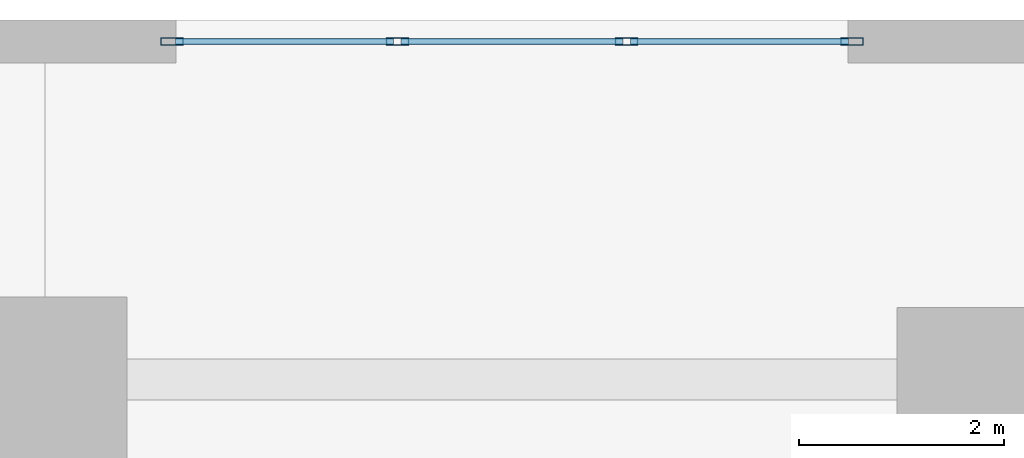
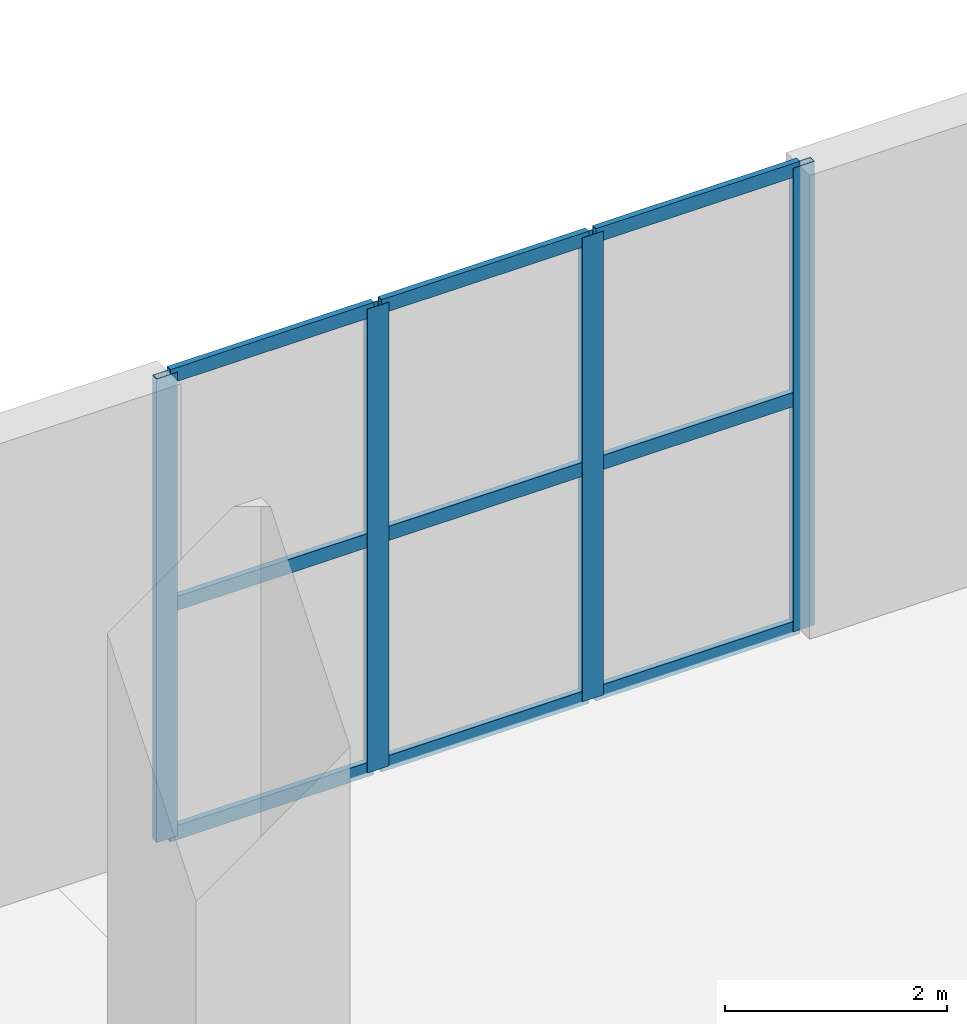
# One storey, part 12 of 20: 13 members, 1 element without a shape of its own.
"""IFC4 building model written with IfcOpenShell, lengths in metres."""

import ifcopenshell
import ifcopenshell.guid

model = None  # the IFC model being written
_history = None  # IfcOwnerHistory: only IFC2X3 demands one
_inside = {}  # id of a spatial element -> (the spatial element, [elements in it])
_under = {}  # id of a project, library or spatial element -> (it, [spatial elements below it])
_declared = {}  # id of a project -> (the project, [libraries it declares])
_typed = {}  # id of a type object -> (the type object, [elements of that type])
_made_of = {}  # id of a material, layer set ... -> (it, [elements and type objects made of it])


def new_model(schema):
    """Start an empty IFC model of exactly this schema.

    Asked for "IFC4X3", IfcOpenShell would pick the latest addendum, in which some entities
    have other attributes; the version numbers below select the first issue.
    IFC2X3 requires an IfcOwnerHistory on every rooted entity: one is made here for all.
    """
    global model, _history
    if schema == "IFC4X3":
        model = ifcopenshell.file(schema_version=(4, 3, 0, 0))
    else:
        model = ifcopenshell.file(schema=schema)
    _inside.clear()
    _under.clear()
    _declared.clear()
    _typed.clear()
    _made_of.clear()
    _history = None
    if model.schema == "IFC2X3":
        org = make("IfcOrganization", Name="unknown")
        user = make(
            "IfcPersonAndOrganization",
            ThePerson=make("IfcPerson", FamilyName="unknown"),
            TheOrganization=org,
        )
        app = make(
            "IfcApplication",
            ApplicationDeveloper=org,
            Version="unknown",
            ApplicationFullName="unknown",
            ApplicationIdentifier="unknown",
        )
        _history = make(
            "IfcOwnerHistory",
            OwningUser=user,
            OwningApplication=app,
            ChangeAction="ADDED",
            CreationDate=0,
        )
    return model


def make(cls, **values):
    """One entity of the class cls with the attributes given. An attribute that is None is left unset."""
    return model.create_entity(
        cls, **{name: value for name, value in values.items() if value is not None}
    )


def rooted(cls, **values):
    """An entity with a GlobalId (a new one), such as an element, a storey or a relation."""
    return make(cls, GlobalId=ifcopenshell.guid.new(), OwnerHistory=_history, **values)


def si_unit(unit_type, name, prefix=None):
    """IfcSIUnit, for example si_unit("LENGTHUNIT", "METRE", prefix="MILLI")."""
    return make("IfcSIUnit", UnitType=unit_type, Prefix=prefix, Name=name)


def assignment(units):
    """IfcUnitAssignment: the units of a project."""
    return None if units is None else make("IfcUnitAssignment", Units=units)


def point(xyz):
    """IfcCartesianPoint."""
    return None if xyz is None else make("IfcCartesianPoint", Coordinates=xyz)


def direction(xyz):
    """IfcDirection."""
    return None if xyz is None else make("IfcDirection", DirectionRatios=xyz)


def frame(location, z_axis=None, x_axis=None):
    """IfcAxis2Placement3D, a coordinate frame: its origin and axes. An axis left out is left unset."""
    return make(
        "IfcAxis2Placement3D",
        Location=point(location),
        Axis=direction(z_axis),
        RefDirection=direction(x_axis),
    )


def frame_2d(location, x_axis=None):
    """IfcAxis2Placement2D, a coordinate frame in the plane: its origin and x axis."""
    return make(
        "IfcAxis2Placement2D", Location=point(location), RefDirection=direction(x_axis)
    )


def origin():
    """The frame at (0, 0, 0) with its axes left unset."""
    return frame((0.0, 0.0, 0.0))


def origin_2d():
    """The frame at (0, 0) in the plane with its x axis left unset."""
    return frame_2d((0.0, 0.0))


def place(relative_to, where):
    """IfcLocalPlacement: puts the frame where relative to a parent placement (None: the world)."""
    return make(
        "IfcLocalPlacement", PlacementRelTo=relative_to, RelativePlacement=where
    )


def context(
    kind, dimensions, precision=None, world=None, true_north=None, identifier=None
):
    """IfcGeometricRepresentationContext, for example the 3D "Model" context."""
    return make(
        "IfcGeometricRepresentationContext",
        ContextIdentifier=identifier,
        ContextType=kind,
        CoordinateSpaceDimension=dimensions,
        Precision=precision,
        WorldCoordinateSystem=world,
        TrueNorth=true_north,
    )


def subcontext(parent, identifier, kind, view, scale=None):
    """IfcGeometricRepresentationSubContext, for example "Body" below "Model"."""
    return make(
        "IfcGeometricRepresentationSubContext",
        ContextIdentifier=identifier,
        ContextType=kind,
        ParentContext=parent,
        TargetScale=scale,
        TargetView=view,
    )


def project(units=None, contexts=None):
    """IfcProject with its units and contexts."""
    return rooted(
        "IfcProject",
        Name="project",
        RepresentationContexts=contexts,
        UnitsInContext=assignment(units),
    )


def spatial(cls, under=None, at=None, **own):
    """A site, building, storey or space (cls), placed at a placement, below another one or the project."""
    s = rooted(cls, ObjectPlacement=at, **own)
    if under is not None:
        _under.setdefault(under.id(), (under, []))[1].append(s)
    return s


def profile(cls, at=None, kind="AREA", **sizes):
    """A parametric profile (cls). Its sizes go by their IFC names, for example OverallWidth=200.0."""
    return make(cls, ProfileType=kind, Position=at, **sizes)


def hollow_rectangle(**sizes):
    """IfcRectangleHollowProfileDef."""
    return profile("IfcRectangleHollowProfileDef", **sizes)


def extrude(swept, where, along, depth):
    """IfcExtrudedAreaSolid: the profile swept, set in the frame where, extruded along a direction by depth."""
    return make(
        "IfcExtrudedAreaSolid",
        SweptArea=swept,
        Position=where,
        ExtrudedDirection=direction(along),
        Depth=depth,
    )


def shape(context_of_items, identifier, shape_type, items):
    """IfcShapeRepresentation: the items that make up one representation, for example the "Body"."""
    return make(
        "IfcShapeRepresentation",
        ContextOfItems=context_of_items,
        RepresentationIdentifier=identifier,
        RepresentationType=shape_type,
        Items=items,
    )


def material(Name=None, Category=None):
    """IfcMaterial."""
    return make("IfcMaterial", Name=Name, Category=Category)


def layer(
    of_material, thickness, ventilated=None, Name=None, Category=None, Priority=None
):
    """IfcMaterialLayer: one layer of a wall or slab, of a material (None: an air gap)."""
    return make(
        "IfcMaterialLayer",
        Material=of_material,
        LayerThickness=thickness,
        IsVentilated=ventilated,
        Name=Name,
        Category=Category,
        Priority=Priority,
    )


def layer_set(layers, Name=None):
    """IfcMaterialLayerSet."""
    return make("IfcMaterialLayerSet", MaterialLayers=layers, LayerSetName=Name)


def material_profile(
    of_material, cross_section, Name=None, Category=None, Priority=None
):
    """IfcMaterialProfile: a cross section and its material."""
    return make(
        "IfcMaterialProfile",
        Name=Name,
        Material=of_material,
        Profile=cross_section,
        Priority=Priority,
        Category=Category,
    )


def profile_set(profiles, Name=None, composite=None):
    """IfcMaterialProfileSet."""
    return make(
        "IfcMaterialProfileSet",
        Name=Name,
        MaterialProfiles=profiles,
        CompositeProfile=composite,
    )


def made_of(thing, what):
    """Note that an element or type object is made of a material, layer set ...; save() writes the relation."""
    if what is not None:
        _made_of.setdefault(what.id(), (what, []))[1].append(thing)
    return thing


def type_object(cls, material=None, **own):
    """A type object (cls), such as IfcWallType, which elements share."""
    return made_of(rooted(cls, **own), material)


def element(
    cls,
    number,
    at=None,
    inside=None,
    cuts=None,
    type_object=None,
    material=None,
    context=None,
    identifier="Body",
    shape_type=None,
    held_by="IfcProductDefinitionShape",
    body=None,
    shapes=None,
    **own,
):
    """One element of the class cls, such as IfcWall. Its Tag is "e" and its number.

    at: its placement. inside: the storey or other place that contains it. cuts: it is an
    opening in that element (IfcRelVoidsElement). A single representation is given by context,
    identifier, shape_type and body (its items); several are given by shapes. held_by: the class
    of the entity that holds the representations. save() writes the other relations.
    """
    e = rooted(cls, Tag="e%d" % number, ObjectPlacement=at, **own)
    if body is not None:
        shapes = [shape(context, identifier, shape_type, body)]
    if shapes is not None:
        e.Representation = make(held_by, Representations=shapes)
    if inside is not None:
        _inside.setdefault(inside.id(), (inside, []))[1].append(e)
    if cuts is not None:
        rooted(
            "IfcRelVoidsElement", RelatingBuildingElement=cuts, RelatedOpeningElement=e
        )
    if type_object is not None:
        _typed.setdefault(type_object.id(), (type_object, []))[1].append(e)
    return made_of(e, material)


def aggregate(whole, parts):
    """IfcRelAggregates: a whole, such as a stair, and the parts it consists of."""
    return rooted("IfcRelAggregates", RelatingObject=whole, RelatedObjects=parts)


def save(model, path):
    """Write the relations noted so far, then the file.

    IfcRelAggregates (storeys below a building ...), IfcRelContainedInSpatialStructure (elements
    in a storey), IfcRelDefinesByType, IfcRelAssociatesMaterial and IfcRelDeclares: one each for
    every whole, place, type object, material and project.
    """
    for whole, parts in _under.values():
        aggregate(whole, parts)
    for where, things in _inside.values():
        rooted(
            "IfcRelContainedInSpatialStructure",
            RelatedElements=things,
            RelatingStructure=where,
        )
    for kind, things in _typed.values():
        rooted("IfcRelDefinesByType", RelatedObjects=things, RelatingType=kind)
    for what, things in _made_of.values():
        rooted("IfcRelAssociatesMaterial", RelatedObjects=things, RelatingMaterial=what)
    for by, libraries in _declared.values():
        rooted("IfcRelDeclares", RelatingContext=by, RelatedDefinitions=libraries)
    model.write(path)


model = new_model("IFC4")

# Units and contexts
model_context = context("Model", 3, precision=1e-05, world=origin(), true_north=direction((0.0, 1.0)))
body_context = subcontext(model_context, "Body", "Model", "MODEL_VIEW")
ifc_project = project(units=[si_unit("LENGTHUNIT", "METRE"), si_unit("AREAUNIT", "SQUARE_METRE"), si_unit("VOLUMEUNIT", "CUBIC_METRE"), si_unit("PLANEANGLEUNIT", "RADIAN"), si_unit("MASSUNIT", "GRAM", prefix="KILO")], contexts=[model_context])

# Site, building, storey
site_placement = place(None, origin())
site = spatial("IfcSite", under=ifc_project, at=site_placement, CompositionType="ELEMENT")
building_placement = place(site_placement, origin())
building = spatial("IfcBuilding", under=site, at=building_placement, Name="Mawjdan Bourse Tower", CompositionType="ELEMENT")
storey_placement = place(building_placement, frame((0.0, 0.0, 5.39990234375)))
storey = spatial("IfcBuildingStorey", under=building, at=storey_placement, Name="L01", CompositionType="ELEMENT", Elevation=5.39990234375)

# Curtain wall, members
ifc_material_1 = material(Name="Thermally Broken Aluminium and Solar Glass", Category="aluminium")
ifc_layer = layer(ifc_material_1, 0.219970703125)
ifc_layer_set = layer_set([ifc_layer], Name="Thermally Broken Aluminium and Solar Glass")
curtain_wall_type = type_object("IfcCurtainWallType", Name="CW-ENT", PredefinedType="USERDEFINED", material=ifc_layer_set)
curtain_wall_placement = place(storey_placement, origin())
curtain_wall = element("IfcCurtainWall", 1, at=curtain_wall_placement, inside=storey, type_object=curtain_wall_type, Name="L01 North Boulevard Upper Curtain Wall", ObjectType="FOYER ENTRANCE CURTAIN WALL", PredefinedType="USERDEFINED")
ifc_material_2 = material(Name="Thermally Broken Anodised Aluminium", Category="aluminium")
ifc_material_profile_1 = material_profile(ifc_material_2, hollow_rectangle(XDim=0.074951171875, YDim=0.219970703125, WallThickness=0.0048828125, at=origin_2d()), Name="ALU-MUL-220X75")
ifc_profile_set_1 = profile_set([ifc_material_profile_1], Name="Thermally Broken Anodised Aluminium")
member_type_1 = type_object("IfcMemberType", Name="MUL-ALU-MUL-220X75", PredefinedType="MULLION", material=ifc_profile_set_1)
member_1_placement = place(storey_placement, frame((34.237548828125, 50.7900390625, 0.0), z_axis=(0.0, 0.0, 1.0), x_axis=(0.0, 1.0, 0.0)))
member_1 = element("IfcMember", 2, at=member_1_placement, type_object=member_type_1, Name="CW-ENT-L01-ENT-NB mullion 1", PredefinedType="MULLION", context=body_context, shape_type="SweptSolid", body=[
    extrude(hollow_rectangle(XDim=0.074951171875, YDim=0.219970703125, WallThickness=0.0048828125, at=origin_2d()), origin(), (0.0, 0.0, 1.0), 5.10009765625),
])
member_2_placement = place(storey_placement, frame((36.433349609375, 50.7900390625, 0.0), z_axis=(0.0, 0.0, 1.0), x_axis=(0.0, 1.0, 0.0)))
member_2 = element("IfcMember", 3, at=member_2_placement, type_object=member_type_1, Name="CW-ENT-L01-ENT-NB mullion 2", PredefinedType="MULLION", context=body_context, shape_type="SweptSolid", body=[
    extrude(hollow_rectangle(XDim=0.074951171875, YDim=0.219970703125, WallThickness=0.0048828125, at=origin_2d()), origin(), (0.0, 0.0, 1.0), 5.10009765625),
])
member_3_placement = place(storey_placement, frame((38.666748046875, 50.7900390625, 0.0), z_axis=(0.0, 0.0, 1.0), x_axis=(0.0, 1.0, 0.0)))
member_3 = element("IfcMember", 4, at=member_3_placement, type_object=member_type_1, Name="CW-ENT-L01-ENT-NB mullion 3", PredefinedType="MULLION", context=body_context, shape_type="SweptSolid", body=[
    extrude(hollow_rectangle(XDim=0.074951171875, YDim=0.219970703125, WallThickness=0.0048828125, at=origin_2d()), origin(), (0.0, 0.0, 1.0), 5.10009765625),
])
member_4_placement = place(storey_placement, frame((40.862548828125, 50.7900390625, 0.0), z_axis=(0.0, 0.0, 1.0), x_axis=(0.0, 1.0, 0.0)))
member_4 = element("IfcMember", 5, at=member_4_placement, type_object=member_type_1, Name="CW-ENT-L01-ENT-NB mullion 4", PredefinedType="MULLION", context=body_context, shape_type="SweptSolid", body=[
    extrude(hollow_rectangle(XDim=0.074951171875, YDim=0.219970703125, WallThickness=0.0048828125, at=origin_2d()), origin(), (0.0, 0.0, 1.0), 5.10009765625),
])
ifc_material_profile_2 = material_profile(ifc_material_2, hollow_rectangle(XDim=0.06005859375, YDim=0.155029296875, WallThickness=0.00390625, at=origin_2d()), Name="ALU-TRN-155X60")
ifc_profile_set_2 = profile_set([ifc_material_profile_2], Name="Thermally Broken Anodised Aluminium")
member_type_2 = type_object("IfcMemberType", Name="TRN-ALU-TRN-155X60", PredefinedType="USERDEFINED", material=ifc_profile_set_2)
member_5_placement = place(storey_placement, frame((34.27490234375, 50.7900390625, 0.030029296875), z_axis=(1.0, 0.0, 0.0), x_axis=(0.0, 1.0, 0.0)))
member_5 = element("IfcMember", 6, at=member_5_placement, type_object=member_type_2, Name="CW-ENT-L01-ENT-NB transom 1.1", ObjectType="TRANSOM", PredefinedType="USERDEFINED", context=body_context, shape_type="SweptSolid", body=[
    extrude(hollow_rectangle(XDim=0.06005859375, YDim=0.155029296875, WallThickness=0.00390625, at=origin_2d()), origin(), (0.0, 0.0, 1.0), 2.120849609375),
])
member_6_placement = place(storey_placement, frame((34.27490234375, 50.7900390625, 2.550048828125), z_axis=(1.0, 0.0, 0.0), x_axis=(0.0, 1.0, 0.0)))
member_6 = element("IfcMember", 7, at=member_6_placement, type_object=member_type_2, Name="CW-ENT-L01-ENT-NB transom 1.2", ObjectType="TRANSOM", PredefinedType="USERDEFINED", context=body_context, shape_type="SweptSolid", body=[
    extrude(hollow_rectangle(XDim=0.06005859375, YDim=0.155029296875, WallThickness=0.00390625, at=origin_2d()), origin(), (0.0, 0.0, 1.0), 2.120849609375),
])
member_7_placement = place(storey_placement, frame((34.27490234375, 50.7900390625, 5.070068359375), z_axis=(1.0, 0.0, 0.0), x_axis=(0.0, 1.0, 0.0)))
member_7 = element("IfcMember", 8, at=member_7_placement, type_object=member_type_2, Name="CW-ENT-L01-ENT-NB transom 1.3", ObjectType="TRANSOM", PredefinedType="USERDEFINED", context=body_context, shape_type="SweptSolid", body=[
    extrude(hollow_rectangle(XDim=0.06005859375, YDim=0.155029296875, WallThickness=0.00390625, at=origin_2d()), origin(), (0.0, 0.0, 1.0), 2.120849609375),
])
member_8_placement = place(storey_placement, frame((36.470947265625, 50.7900390625, 0.030029296875), z_axis=(1.0, 0.0, 0.0), x_axis=(0.0, 1.0, 0.0)))
member_8 = element("IfcMember", 9, at=member_8_placement, type_object=member_type_2, Name="CW-ENT-L01-ENT-NB transom 2.1", ObjectType="TRANSOM", PredefinedType="USERDEFINED", context=body_context, shape_type="SweptSolid", body=[
    extrude(hollow_rectangle(XDim=0.06005859375, YDim=0.155029296875, WallThickness=0.00390625, at=origin_2d()), origin(), (0.0, 0.0, 1.0), 2.158203125),
])
member_9_placement = place(storey_placement, frame((36.470947265625, 50.7900390625, 2.550048828125), z_axis=(1.0, 0.0, 0.0), x_axis=(0.0, 1.0, 0.0)))
member_9 = element("IfcMember", 10, at=member_9_placement, type_object=member_type_2, Name="CW-ENT-L01-ENT-NB transom 2.2", ObjectType="TRANSOM", PredefinedType="USERDEFINED", context=body_context, shape_type="SweptSolid", body=[
    extrude(hollow_rectangle(XDim=0.06005859375, YDim=0.155029296875, WallThickness=0.00390625, at=origin_2d()), origin(), (0.0, 0.0, 1.0), 2.158203125),
])
member_10_placement = place(storey_placement, frame((36.470947265625, 50.7900390625, 5.070068359375), z_axis=(1.0, 0.0, 0.0), x_axis=(0.0, 1.0, 0.0)))
member_10 = element("IfcMember", 11, at=member_10_placement, type_object=member_type_2, Name="CW-ENT-L01-ENT-NB transom 2.3", ObjectType="TRANSOM", PredefinedType="USERDEFINED", context=body_context, shape_type="SweptSolid", body=[
    extrude(hollow_rectangle(XDim=0.06005859375, YDim=0.155029296875, WallThickness=0.00390625, at=origin_2d()), origin(), (0.0, 0.0, 1.0), 2.158203125),
])
member_11_placement = place(storey_placement, frame((38.7041015625, 50.7900390625, 0.030029296875), z_axis=(1.0, 0.0, 0.0), x_axis=(0.0, 1.0, 0.0)))
member_11 = element("IfcMember", 12, at=member_11_placement, type_object=member_type_2, Name="CW-ENT-L01-ENT-NB transom 3.1", ObjectType="TRANSOM", PredefinedType="USERDEFINED", context=body_context, shape_type="SweptSolid", body=[
    extrude(hollow_rectangle(XDim=0.06005859375, YDim=0.155029296875, WallThickness=0.00390625, at=origin_2d()), origin(), (0.0, 0.0, 1.0), 2.120849609375),
])
member_12_placement = place(storey_placement, frame((38.7041015625, 50.7900390625, 2.550048828125), z_axis=(1.0, 0.0, 0.0), x_axis=(0.0, 1.0, 0.0)))
member_12 = element("IfcMember", 13, at=member_12_placement, type_object=member_type_2, Name="CW-ENT-L01-ENT-NB transom 3.2", ObjectType="TRANSOM", PredefinedType="USERDEFINED", context=body_context, shape_type="SweptSolid", body=[
    extrude(hollow_rectangle(XDim=0.06005859375, YDim=0.155029296875, WallThickness=0.00390625, at=origin_2d()), origin(), (0.0, 0.0, 1.0), 2.120849609375),
])
member_13_placement = place(storey_placement, frame((38.7041015625, 50.7900390625, 5.070068359375), z_axis=(1.0, 0.0, 0.0), x_axis=(0.0, 1.0, 0.0)))
member_13 = element("IfcMember", 14, at=member_13_placement, type_object=member_type_2, Name="CW-ENT-L01-ENT-NB transom 3.3", ObjectType="TRANSOM", PredefinedType="USERDEFINED", context=body_context, shape_type="SweptSolid", body=[
    extrude(hollow_rectangle(XDim=0.06005859375, YDim=0.155029296875, WallThickness=0.00390625, at=origin_2d()), origin(), (0.0, 0.0, 1.0), 2.120849609375),
])
aggregate(curtain_wall, [member_1, member_2, member_3, member_4, member_5, member_6, member_7, member_8, member_9, member_10, member_11, member_12, member_13])

save(model, "model.ifc")
